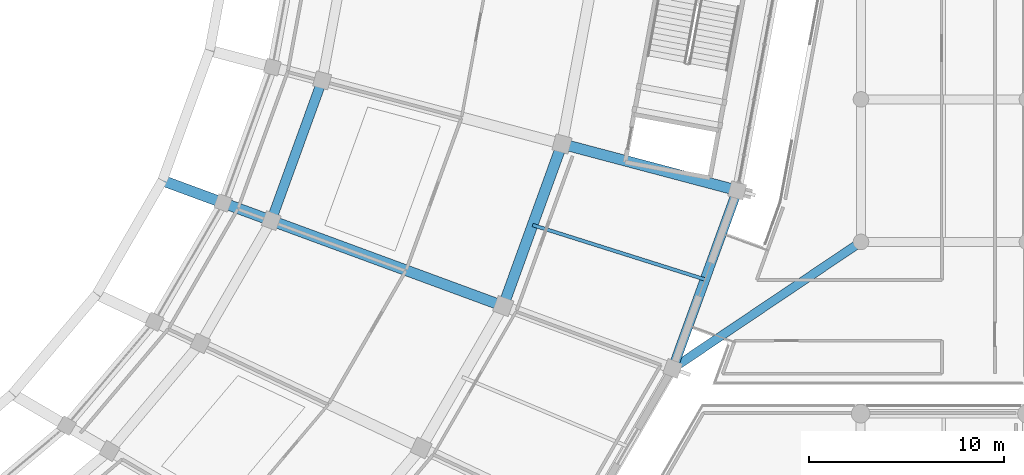
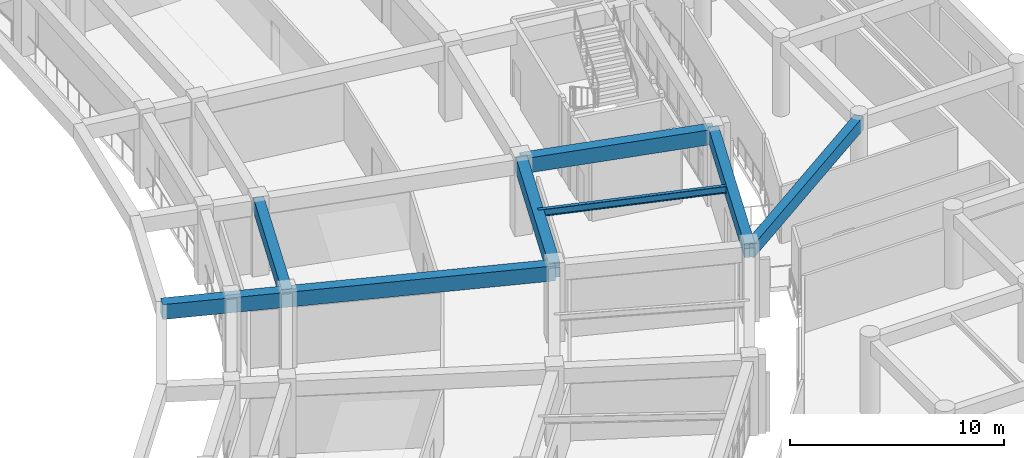
# One storey, part 45 of 145: 7 beams.
"""IFC4 building model written with IfcOpenShell, lengths in metres."""

from ifc_helpers import new_model, si_unit, direction, frame, origin, origin_2d, place, context, subcontext, project, spatial, rectangle, i_section, extrude, material, material_profile, profile_set, type_object, element, save


model = new_model("IFC4")

# Units and contexts
model_context = context("Model", 3, precision=1e-05, world=origin(), true_north=direction((0.0, 1.0)))
body_context = subcontext(model_context, "Body", "Model", "MODEL_VIEW")
ifc_project = project(units=[si_unit("LENGTHUNIT", "METRE"), si_unit("AREAUNIT", "SQUARE_METRE"), si_unit("VOLUMEUNIT", "CUBIC_METRE"), si_unit("PLANEANGLEUNIT", "RADIAN"), si_unit("MASSUNIT", "GRAM", prefix="KILO")], contexts=[model_context])

# Site, building, storey
site_placement = place(None, origin())
site = spatial("IfcSite", under=ifc_project, at=site_placement, CompositionType="ELEMENT")
building_placement = place(site_placement, origin())
building = spatial("IfcBuilding", under=site, at=building_placement, Name="Mphavela Belvedere Stadium", CompositionType="ELEMENT")
storey_placement = place(building_placement, frame((0.0, 0.0, 10.199951171875)))
storey = spatial("IfcBuildingStorey", under=building, at=storey_placement, Name="L02", CompositionType="ELEMENT", Elevation=10.199951171875)

# Beams
ifc_material_1 = material(Name="Steel S355", Category="steel")
ifc_material_profile_1 = material_profile(ifc_material_1, i_section(OverallWidth=0.179931640625, OverallDepth=0.39990234375, WebThickness=0.008544921875, FlangeThickness=0.013427734375, at=origin_2d()), Name="IPE 400")
ifc_profile_set_1 = profile_set([ifc_material_profile_1], Name="Steel S355")
beam_type_1 = type_object("IfcBeamType", Name="BM-JOIST-IPE400", PredefinedType="JOIST", material=ifc_profile_set_1)
beam_1_placement = place(storey_placement, frame((204.681640625, 58.6669921875, 4.050048828125), z_axis=(0.953544002003, -0.301253773826, 0.0), x_axis=(0.301253773826, 0.953544002003, 0.0)))
element("IfcBeam", 1, at=beam_1_placement, inside=storey, type_object=beam_type_1, Name="Concourse floor joist L02-46", PredefinedType="JOIST", context=body_context, shape_type="SweptSolid", body=[
    extrude(i_section(OverallWidth=0.179931640625, OverallDepth=0.39990234375, WebThickness=0.008544921875, FlangeThickness=0.013427734375, at=origin_2d()), origin(), (0.0, 0.0, 1.0), 9.259033203125),
])
ifc_material_2 = material(Name="Concrete C40/50", Category="concrete")
ifc_material_profile_2 = material_profile(ifc_material_2, rectangle(XDim=0.449951171875, YDim=0.75, at=origin_2d()), Name="RC 450x750")
ifc_profile_set_2 = profile_set([ifc_material_profile_2], Name="Concrete C40/50")
beam_type_2 = type_object("IfcBeamType", Name="BM-RC450x750", PredefinedType="BEAM", material=ifc_profile_set_2)
beam_2_placement = place(storey_placement, frame((221.5, 57.800048828125, 3.864990234375), z_axis=(-0.82993028647, -0.557867116436, 0.0), x_axis=(0.557867116436, -0.82993028647, 0.0)))
element("IfcBeam", 2, at=beam_2_placement, inside=storey, type_object=beam_type_2, Name="East Planted Eaves Peristyle Colonnade bowl link girder L02-5", PredefinedType="BEAM", context=body_context, shape_type="SweptSolid", body=[
    extrude(rectangle(XDim=0.449951171875, YDim=0.75, at=origin_2d()), origin(), (0.0, 0.0, 1.0), 11.6201171875),
])
ifc_material_3 = material(Name="Concrete C40/50", Category="concrete")
ifc_material_profile_3 = material_profile(ifc_material_3, rectangle(XDim=0.5, YDim=0.800048828125, at=origin_2d()), Name="RC 500x800")
ifc_profile_set_3 = profile_set([ifc_material_profile_3], Name="Concrete C40/50")
beam_type_3 = type_object("IfcBeamType", Name="BM-RC500x800", PredefinedType="BEAM", material=ifc_profile_set_3)
beam_3_placement = place(storey_placement, frame((191.297119140625, 58.891845703125, 3.85009765625), z_axis=(0.341037560831, 0.940049670019, 0.0), x_axis=(-0.940049670019, 0.341037560831, 0.0)))
element("IfcBeam", 3, at=beam_3_placement, inside=storey, type_object=beam_type_3, Name="Circumferential girder L02 R2-46", PredefinedType="BEAM", context=body_context, shape_type="SweptSolid", body=[
    extrude(rectangle(XDim=0.5, YDim=0.800048828125, at=origin_2d()), origin(), (0.0, 0.0, 1.0), 7.64208984375),
])
ifc_material_4 = material(Name="Concrete C40/50", Category="concrete")
ifc_material_profile_4 = material_profile(ifc_material_4, rectangle(XDim=0.550048828125, YDim=0.85009765625, at=origin_2d()), Name="RC 550x850")
ifc_profile_set_4 = profile_set([ifc_material_profile_4], Name="Concrete C40/50")
beam_type_4 = type_object("IfcBeamType", Name="BM-RC550x850", PredefinedType="BEAM", material=ifc_profile_set_4)
beam_4_placement = place(storey_placement, frame((203.175537109375, 54.515625, 3.824951171875), z_axis=(0.341030504348, 0.940052229987, 0.0), x_axis=(-0.940052229987, 0.341030504348, 0.0)))
element("IfcBeam", 4, at=beam_4_placement, inside=storey, type_object=beam_type_4, Name="Circumferential girder L02 R3-46", PredefinedType="BEAM", context=body_context, shape_type="SweptSolid", body=[
    extrude(rectangle(XDim=0.550048828125, YDim=0.85009765625, at=origin_2d()), origin(), (0.0, 0.0, 1.0), 8.83203125),
])
beam_5_placement = place(storey_placement, frame((206.1875, 62.818115234375, 3.824951171875), z_axis=(0.966589609073, -0.256328944196, 0.0), x_axis=(0.256328944196, 0.966589609073, 0.0)))
element("IfcBeam", 5, at=beam_5_placement, inside=storey, type_object=beam_type_4, Name="Radial concourse girder L02 R3R4-47", PredefinedType="BEAM", context=body_context, shape_type="SweptSolid", body=[
    extrude(rectangle(XDim=0.550048828125, YDim=0.85009765625, at=origin_2d()), origin(), (0.0, 0.0, 1.0), 9.287353515625),
])
beam_6_placement = place(storey_placement, frame((185.72314453125, 60.9453125, 3.824951171875), z_axis=(0.938345582008, -0.345698667521, 0.0), x_axis=(0.345698667521, 0.938345582008, 0.0)))
element("IfcBeam", 6, at=beam_6_placement, inside=storey, type_object=beam_type_4, Name="Upper tier box-front outrigger girder 46", PredefinedType="BEAM", context=body_context, shape_type="SweptSolid", body=[
    extrude(rectangle(XDim=0.550048828125, YDim=0.85009765625, at=origin_2d()), origin(), (0.0, 0.0, 1.0), 18.59912109375),
])
ifc_material_5 = material(Name="Concrete C40/50", Category="concrete")
ifc_material_profile_5 = material_profile(ifc_material_5, rectangle(XDim=0.5, YDim=0.800048828125, at=origin_2d()), Name="RC 500x800")
ifc_profile_set_5 = profile_set([ifc_material_profile_5], Name="Concrete C40/50")
beam_type_5 = type_object("IfcBeamType", Name="BM-SPANDREL-800", PredefinedType="SPANDREL", material=ifc_profile_set_5)
beam_7_placement = place(storey_placement, frame((211.856201171875, 51.317626953125, 3.85009765625), z_axis=(0.341017570596, 0.94005692197, 0.0), x_axis=(-0.94005692197, 0.341017570596, 0.0)))
element("IfcBeam", 7, at=beam_7_placement, inside=storey, type_object=beam_type_5, Name="Circumferential girder L02 R4-46", PredefinedType="SPANDREL", context=body_context, shape_type="SweptSolid", body=[
    extrude(rectangle(XDim=0.5, YDim=0.800048828125, at=origin_2d()), origin(), (0.0, 0.0, 1.0), 9.701416015625),
])

save(model, "model.ifc")
